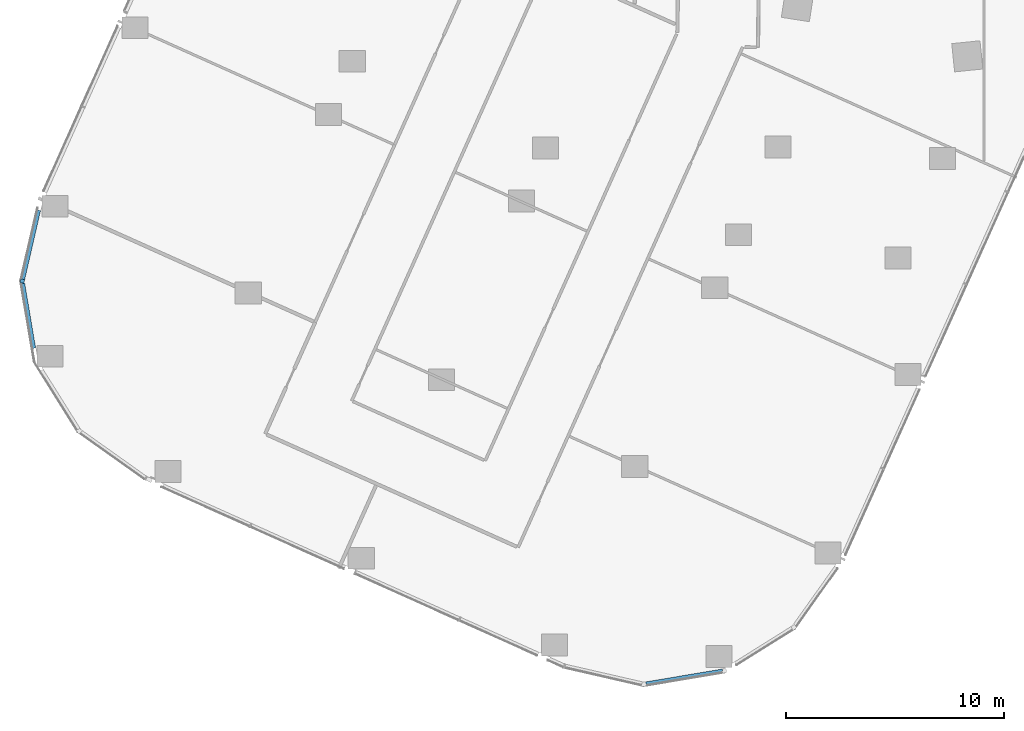
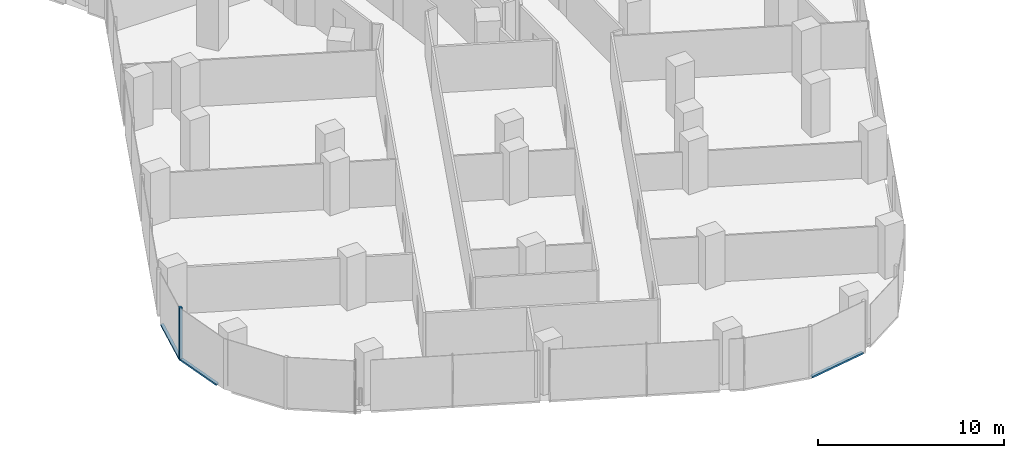
# One storey, part 3 of 34: 4 members, 3 elements without a shape of their own.
"""IFC4 building model written with IfcOpenShell, lengths in metres."""

from ifc_helpers import new_model, si_unit, direction, frame, origin, origin_2d, place, context, subcontext, project, spatial, rectangle, extrude, material, material_profile, profile_set, type_object, element, aggregate, save


model = new_model("IFC4")

# Units and contexts
model_context = context("Model", 3, precision=1e-05, world=origin(), true_north=direction((0.0, 1.0)))
body_context = subcontext(model_context, "Body", "Model", "MODEL_VIEW")
ifc_project = project(units=[si_unit("LENGTHUNIT", "METRE"), si_unit("AREAUNIT", "SQUARE_METRE"), si_unit("VOLUMEUNIT", "CUBIC_METRE"), si_unit("PLANEANGLEUNIT", "RADIAN"), si_unit("MASSUNIT", "GRAM", prefix="KILO")], contexts=[model_context])

# Site, building, storey
site_placement = place(None, origin())
site = spatial("IfcSite", under=ifc_project, at=site_placement, CompositionType="ELEMENT")
building_placement = place(site_placement, origin())
building = spatial("IfcBuilding", under=site, at=building_placement, Name="Orlundy Tower", CompositionType="ELEMENT")
storey_placement = place(building_placement, frame((0.0, 0.0, 137.699951171875)))
storey = spatial("IfcBuildingStorey", under=building, at=storey_placement, Name="L35", CompositionType="ELEMENT", Elevation=137.699951171875)

# Curtain wall, member
ifc_material_1 = material(Name="Aluminium bronze anodised", Category="aluminium")
curtain_wall_type = type_object("IfcCurtainWallType", Name="CW1 wall", PredefinedType="NOTDEFINED", material=ifc_material_1)
curtain_wall_1_placement = place(storey_placement, origin())
curtain_wall_1 = element("IfcCurtainWall", 1, at=curtain_wall_1_placement, inside=storey, type_object=curtain_wall_type, Name="CW1 run 027", PredefinedType="NOTDEFINED")
ifc_material_2 = material(Name="Aluminium bronze anodised", Category="aluminium")
ifc_material_profile_1 = material_profile(ifc_material_2, rectangle(XDim=0.179931640625, YDim=0.179931640625, at=origin_2d()), Name="CW1 corner post 180x180")
ifc_profile_set_1 = profile_set([ifc_material_profile_1], Name="Aluminium bronze anodised")
member_type_1 = type_object("IfcMemberType", Name="CW1 corner post 180x180", PredefinedType="MULLION", material=ifc_profile_set_1)
member_1_placement = place(storey_placement, frame((-40.046630859375, -41.952392578125, -0.39990234375), z_axis=(0.0, 0.0, 1.0), x_axis=(-0.974672322571, 0.223637795584, 0.0)))
member_1 = element("IfcMember", 2, at=member_1_placement, type_object=member_type_1, Name="CW1 mullion 68", PredefinedType="MULLION", context=body_context, shape_type="SweptSolid", body=[
    extrude(rectangle(XDim=0.179931640625, YDim=0.179931640625, at=origin_2d()), origin(), (0.0, 0.0, 1.0), 3.449951171875),
])

curtain_wall_2_placement = place(storey_placement, origin())
curtain_wall_2 = element("IfcCurtainWall", 3, at=curtain_wall_2_placement, inside=storey, type_object=curtain_wall_type, Name="CW1 run 021", PredefinedType="NOTDEFINED")
ifc_material_3 = material(Name="Aluminium bronze anodised", Category="aluminium")
ifc_material_profile_2 = material_profile(ifc_material_3, rectangle(XDim=0.179931640625, YDim=0.1201171875, at=origin_2d()), Name="CW1 transom 180x120")
ifc_profile_set_2 = profile_set([ifc_material_profile_2], Name="Aluminium bronze anodised")
member_type_2 = type_object("IfcMemberType", Name="CW1 transom 180x120", PredefinedType="USERDEFINED", material=ifc_profile_set_2)
member_2_placement = place(storey_placement, frame((-7.97705078125, -59.808837890625, -0.33984375), z_axis=(-0.986059686248, -0.166391992463, 0.0), x_axis=(0.166391992463, -0.986059686248, 0.0)))
member_2 = element("IfcMember", 4, at=member_2_placement, type_object=member_type_2, Name="CW1 transom", ObjectType="TRANSOM", PredefinedType="USERDEFINED", context=body_context, shape_type="SweptSolid", body=[
    extrude(rectangle(XDim=0.179931640625, YDim=0.1201171875, at=origin_2d()), origin(), (0.0, 0.0, 1.0), 3.55517578125),
])
aggregate(curtain_wall_2, [member_2])

curtain_wall_3_placement = place(storey_placement, origin())
curtain_wall_3 = element("IfcCurtainWall", 5, at=curtain_wall_3_placement, inside=storey, type_object=curtain_wall_type, Name="CW1 run 026", PredefinedType="NOTDEFINED")
member_3_placement = place(storey_placement, frame((-39.527099609375, -45.031005859375, -0.33984375), z_axis=(-0.166427336794, 0.986053721441, 0.0), x_axis=(-0.986053721441, -0.166427336794, 0.0)))
member_3 = element("IfcMember", 6, at=member_3_placement, type_object=member_type_2, Name="CW1 transom", ObjectType="TRANSOM", PredefinedType="USERDEFINED", context=body_context, shape_type="SweptSolid", body=[
    extrude(rectangle(XDim=0.179931640625, YDim=0.1201171875, at=origin_2d()), origin(), (0.0, 0.0, 1.0), 3.02490234375),
])
aggregate(curtain_wall_3, [member_3])

# Member
member_4_placement = place(storey_placement, frame((-40.026611328125, -41.864501953125, -0.33984375), z_axis=(0.223633818771, 0.974673235039, 0.0), x_axis=(-0.974673235039, 0.223633818771, 0.0)))
member_4 = element("IfcMember", 7, at=member_4_placement, type_object=member_type_2, Name="CW1 transom", ObjectType="TRANSOM", PredefinedType="USERDEFINED", context=body_context, shape_type="SweptSolid", body=[
    extrude(rectangle(XDim=0.179931640625, YDim=0.1201171875, at=origin_2d()), origin(), (0.0, 0.0, 1.0), 3.24462890625),
])

aggregate(curtain_wall_1, [member_1, member_4])

save(model, "model.ifc")
